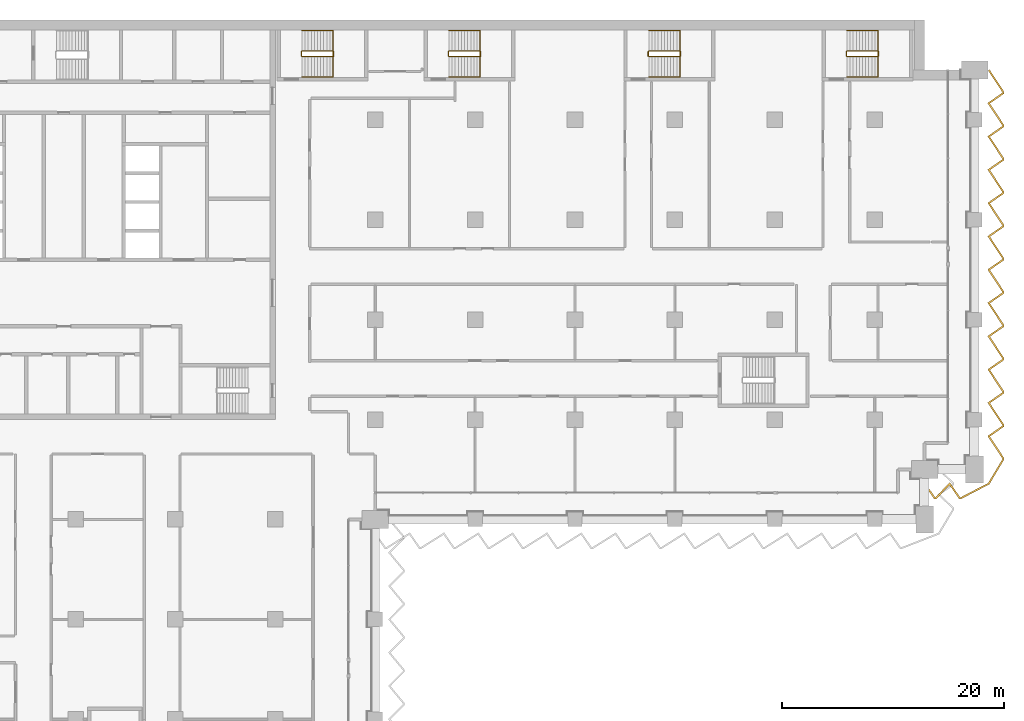
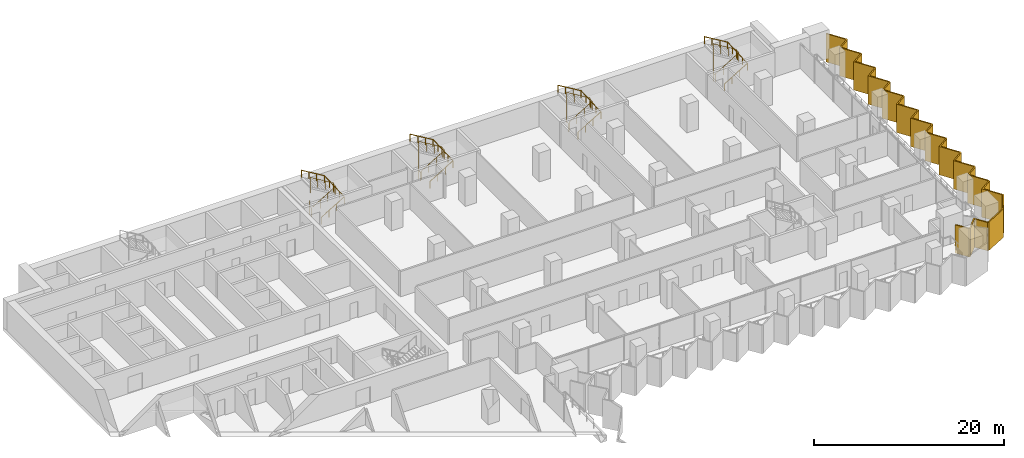
# One storey, part 27 of 28: 8 railings, 1 shading device.
"""IFC4 building model written with IfcOpenShell, lengths in metres."""

import ifcopenshell
import ifcopenshell.guid

model = None  # the IFC model being written
_history = None  # IfcOwnerHistory: only IFC2X3 demands one
_inside = {}  # id of a spatial element -> (the spatial element, [elements in it])
_under = {}  # id of a project, library or spatial element -> (it, [spatial elements below it])
_declared = {}  # id of a project -> (the project, [libraries it declares])
_typed = {}  # id of a type object -> (the type object, [elements of that type])
_made_of = {}  # id of a material, layer set ... -> (it, [elements and type objects made of it])


def new_model(schema):
    """Start an empty IFC model of exactly this schema.

    Asked for "IFC4X3", IfcOpenShell would pick the latest addendum, in which some entities
    have other attributes; the version numbers below select the first issue.
    IFC2X3 requires an IfcOwnerHistory on every rooted entity: one is made here for all.
    """
    global model, _history
    if schema == "IFC4X3":
        model = ifcopenshell.file(schema_version=(4, 3, 0, 0))
    else:
        model = ifcopenshell.file(schema=schema)
    _inside.clear()
    _under.clear()
    _declared.clear()
    _typed.clear()
    _made_of.clear()
    _history = None
    if model.schema == "IFC2X3":
        org = make("IfcOrganization", Name="unknown")
        user = make(
            "IfcPersonAndOrganization",
            ThePerson=make("IfcPerson", FamilyName="unknown"),
            TheOrganization=org,
        )
        app = make(
            "IfcApplication",
            ApplicationDeveloper=org,
            Version="unknown",
            ApplicationFullName="unknown",
            ApplicationIdentifier="unknown",
        )
        _history = make(
            "IfcOwnerHistory",
            OwningUser=user,
            OwningApplication=app,
            ChangeAction="ADDED",
            CreationDate=0,
        )
    return model


def make(cls, **values):
    """One entity of the class cls with the attributes given. An attribute that is None is left unset."""
    return model.create_entity(
        cls, **{name: value for name, value in values.items() if value is not None}
    )


def rooted(cls, **values):
    """An entity with a GlobalId (a new one), such as an element, a storey or a relation."""
    return make(cls, GlobalId=ifcopenshell.guid.new(), OwnerHistory=_history, **values)


def si_unit(unit_type, name, prefix=None):
    """IfcSIUnit, for example si_unit("LENGTHUNIT", "METRE", prefix="MILLI")."""
    return make("IfcSIUnit", UnitType=unit_type, Prefix=prefix, Name=name)


def assignment(units):
    """IfcUnitAssignment: the units of a project."""
    return None if units is None else make("IfcUnitAssignment", Units=units)


def point(xyz):
    """IfcCartesianPoint."""
    return None if xyz is None else make("IfcCartesianPoint", Coordinates=xyz)


def direction(xyz):
    """IfcDirection."""
    return None if xyz is None else make("IfcDirection", DirectionRatios=xyz)


def frame(location, z_axis=None, x_axis=None):
    """IfcAxis2Placement3D, a coordinate frame: its origin and axes. An axis left out is left unset."""
    return make(
        "IfcAxis2Placement3D",
        Location=point(location),
        Axis=direction(z_axis),
        RefDirection=direction(x_axis),
    )


def frame_2d(location, x_axis=None):
    """IfcAxis2Placement2D, a coordinate frame in the plane: its origin and x axis."""
    return make(
        "IfcAxis2Placement2D", Location=point(location), RefDirection=direction(x_axis)
    )


def origin():
    """The frame at (0, 0, 0) with its axes left unset."""
    return frame((0.0, 0.0, 0.0))


def origin_2d():
    """The frame at (0, 0) in the plane with its x axis left unset."""
    return frame_2d((0.0, 0.0))


def place(relative_to, where):
    """IfcLocalPlacement: puts the frame where relative to a parent placement (None: the world)."""
    return make(
        "IfcLocalPlacement", PlacementRelTo=relative_to, RelativePlacement=where
    )


def context(
    kind, dimensions, precision=None, world=None, true_north=None, identifier=None
):
    """IfcGeometricRepresentationContext, for example the 3D "Model" context."""
    return make(
        "IfcGeometricRepresentationContext",
        ContextIdentifier=identifier,
        ContextType=kind,
        CoordinateSpaceDimension=dimensions,
        Precision=precision,
        WorldCoordinateSystem=world,
        TrueNorth=true_north,
    )


def subcontext(parent, identifier, kind, view, scale=None):
    """IfcGeometricRepresentationSubContext, for example "Body" below "Model"."""
    return make(
        "IfcGeometricRepresentationSubContext",
        ContextIdentifier=identifier,
        ContextType=kind,
        ParentContext=parent,
        TargetScale=scale,
        TargetView=view,
    )


def project(units=None, contexts=None):
    """IfcProject with its units and contexts."""
    return rooted(
        "IfcProject",
        Name="project",
        RepresentationContexts=contexts,
        UnitsInContext=assignment(units),
    )


def spatial(cls, under=None, at=None, **own):
    """A site, building, storey or space (cls), placed at a placement, below another one or the project."""
    s = rooted(cls, ObjectPlacement=at, **own)
    if under is not None:
        _under.setdefault(under.id(), (under, []))[1].append(s)
    return s


def polyline(points):
    """IfcPolyline through the points."""
    return make("IfcPolyline", Points=[point(p) for p in points])


def profile(cls, at=None, kind="AREA", **sizes):
    """A parametric profile (cls). Its sizes go by their IFC names, for example OverallWidth=200.0."""
    return make(cls, ProfileType=kind, Position=at, **sizes)


def circle(**sizes):
    """IfcCircleProfileDef."""
    return profile("IfcCircleProfileDef", **sizes)


def outline(outer, holes=None, kind="AREA"):
    """IfcArbitraryClosedProfileDef: a profile drawn as a closed curve; with holes, ...WithVoids."""
    if holes is None:
        return make("IfcArbitraryClosedProfileDef", ProfileType=kind, OuterCurve=outer)
    return make(
        "IfcArbitraryProfileDefWithVoids",
        ProfileType=kind,
        OuterCurve=outer,
        InnerCurves=holes,
    )


def extrude(swept, where, along, depth):
    """IfcExtrudedAreaSolid: the profile swept, set in the frame where, extruded along a direction by depth."""
    return make(
        "IfcExtrudedAreaSolid",
        SweptArea=swept,
        Position=where,
        ExtrudedDirection=direction(along),
        Depth=depth,
    )


def shape(context_of_items, identifier, shape_type, items):
    """IfcShapeRepresentation: the items that make up one representation, for example the "Body"."""
    return make(
        "IfcShapeRepresentation",
        ContextOfItems=context_of_items,
        RepresentationIdentifier=identifier,
        RepresentationType=shape_type,
        Items=items,
    )


def material(Name=None, Category=None):
    """IfcMaterial."""
    return make("IfcMaterial", Name=Name, Category=Category)


def layer(
    of_material, thickness, ventilated=None, Name=None, Category=None, Priority=None
):
    """IfcMaterialLayer: one layer of a wall or slab, of a material (None: an air gap)."""
    return make(
        "IfcMaterialLayer",
        Material=of_material,
        LayerThickness=thickness,
        IsVentilated=ventilated,
        Name=Name,
        Category=Category,
        Priority=Priority,
    )


def layer_set(layers, Name=None):
    """IfcMaterialLayerSet."""
    return make("IfcMaterialLayerSet", MaterialLayers=layers, LayerSetName=Name)


def made_of(thing, what):
    """Note that an element or type object is made of a material, layer set ...; save() writes the relation."""
    if what is not None:
        _made_of.setdefault(what.id(), (what, []))[1].append(thing)
    return thing


def type_object(cls, material=None, **own):
    """A type object (cls), such as IfcWallType, which elements share."""
    return made_of(rooted(cls, **own), material)


def element(
    cls,
    number,
    at=None,
    inside=None,
    cuts=None,
    type_object=None,
    material=None,
    context=None,
    identifier="Body",
    shape_type=None,
    held_by="IfcProductDefinitionShape",
    body=None,
    shapes=None,
    **own,
):
    """One element of the class cls, such as IfcWall. Its Tag is "e" and its number.

    at: its placement. inside: the storey or other place that contains it. cuts: it is an
    opening in that element (IfcRelVoidsElement). A single representation is given by context,
    identifier, shape_type and body (its items); several are given by shapes. held_by: the class
    of the entity that holds the representations. save() writes the other relations.
    """
    e = rooted(cls, Tag="e%d" % number, ObjectPlacement=at, **own)
    if body is not None:
        shapes = [shape(context, identifier, shape_type, body)]
    if shapes is not None:
        e.Representation = make(held_by, Representations=shapes)
    if inside is not None:
        _inside.setdefault(inside.id(), (inside, []))[1].append(e)
    if cuts is not None:
        rooted(
            "IfcRelVoidsElement", RelatingBuildingElement=cuts, RelatedOpeningElement=e
        )
    if type_object is not None:
        _typed.setdefault(type_object.id(), (type_object, []))[1].append(e)
    return made_of(e, material)


def aggregate(whole, parts):
    """IfcRelAggregates: a whole, such as a stair, and the parts it consists of."""
    return rooted("IfcRelAggregates", RelatingObject=whole, RelatedObjects=parts)


def save(model, path):
    """Write the relations noted so far, then the file.

    IfcRelAggregates (storeys below a building ...), IfcRelContainedInSpatialStructure (elements
    in a storey), IfcRelDefinesByType, IfcRelAssociatesMaterial and IfcRelDeclares: one each for
    every whole, place, type object, material and project.
    """
    for whole, parts in _under.values():
        aggregate(whole, parts)
    for where, things in _inside.values():
        rooted(
            "IfcRelContainedInSpatialStructure",
            RelatedElements=things,
            RelatingStructure=where,
        )
    for kind, things in _typed.values():
        rooted("IfcRelDefinesByType", RelatedObjects=things, RelatingType=kind)
    for what, things in _made_of.values():
        rooted("IfcRelAssociatesMaterial", RelatedObjects=things, RelatingMaterial=what)
    for by, libraries in _declared.values():
        rooted("IfcRelDeclares", RelatingContext=by, RelatedDefinitions=libraries)
    model.write(path)


model = new_model("IFC4")

# Units and contexts
model_context = context("Model", 3, precision=1e-05, world=origin(), true_north=direction((0.0, 1.0)))
body_context = subcontext(model_context, "Body", "Model", "MODEL_VIEW")
ifc_project = project(units=[si_unit("LENGTHUNIT", "METRE"), si_unit("AREAUNIT", "SQUARE_METRE"), si_unit("VOLUMEUNIT", "CUBIC_METRE"), si_unit("PLANEANGLEUNIT", "RADIAN"), si_unit("MASSUNIT", "GRAM", prefix="KILO")], contexts=[model_context])

# Site, building, storey
site_placement = place(None, origin())
site = spatial("IfcSite", under=ifc_project, at=site_placement, CompositionType="ELEMENT")
building_placement = place(site_placement, origin())
building = spatial("IfcBuilding", under=site, at=building_placement, Name="Hunhe Ridgeline Campus", CompositionType="ELEMENT")
storey_placement = place(building_placement, frame((0.0, 0.0, 76.5)))
storey = spatial("IfcBuildingStorey", under=building, at=storey_placement, Name="L18", CompositionType="ELEMENT", Elevation=76.5)

# Shading device
ifc_material_1 = material(Name="Concrete C50", Category="concrete")
ifc_layer = layer(ifc_material_1, 0.14990234375)
ifc_layer_set = layer_set([ifc_layer], Name="Sawtooth concrete fin 150 Concrete C50")
shading_device_type = type_object("IfcShadingDeviceType", Name="Sawtooth concrete fin 150 Concrete C50", PredefinedType="USERDEFINED", material=ifc_layer_set)
shading_device_placement = place(storey_placement, frame((0.0, 0.0, -0.949951171875)))
element("IfcShadingDevice", 1, at=shading_device_placement, inside=storey, type_object=shading_device_type, Name="Concrete fin screen 3", ObjectType="FIN", PredefinedType="USERDEFINED", context=body_context, shape_type="SweptSolid", body=[
    extrude(outline(polyline([(94.5615234375, 57.267822265625), (94.4384765625, 57.18212890625), (95.363525390625, 55.85009765625), (95.554931640625, 55.85009765625), (96.7412109375, 57.106201171875), (97.613525390625, 55.85009765625), (97.791015625, 55.85009765625), (100.328369140625, 57.168212890625), (101.64990234375, 59.382080078125), (101.64990234375, 59.545166015625), (100.3779296875, 61.47998046875), (101.64990234375, 62.363525390625), (101.64990234375, 62.545166015625), (100.3779296875, 64.47998046875), (101.64990234375, 65.363525390625), (101.64990234375, 65.545166015625), (100.3779296875, 67.47998046875), (101.64990234375, 68.363525390625), (101.64990234375, 68.545166015625), (100.3779296875, 70.47998046875), (101.64990234375, 71.363525390625), (101.64990234375, 71.545166015625), (100.3779296875, 73.47998046875), (101.64990234375, 74.363525390625), (101.64990234375, 74.545166015625), (100.3779296875, 76.47998046875), (101.64990234375, 77.363525390625), (101.64990234375, 77.545166015625), (100.3779296875, 79.47998046875), (101.64990234375, 80.363525390625), (101.64990234375, 80.545166015625), (100.3779296875, 82.47998046875), (101.64990234375, 83.363525390625), (101.64990234375, 83.545166015625), (100.3779296875, 85.47998046875), (101.64990234375, 86.363525390625), (101.64990234375, 86.545166015625), (100.3779296875, 88.47998046875), (101.64990234375, 89.363525390625), (101.64990234375, 89.545166015625), (100.3779296875, 91.47998046875), (101.64990234375, 92.363525390625), (101.64990234375, 92.545166015625), (100.337646484375, 94.541259765625), (100.21240234375, 94.458740234375), (101.5, 92.500244140625), (101.5, 92.44189453125), (100.172119140625, 91.52001953125), (101.5, 89.500244140625), (101.5, 89.44189453125), (100.172119140625, 88.52001953125), (101.5, 86.500244140625), (101.5, 86.44189453125), (100.172119140625, 85.52001953125), (101.5, 83.500244140625), (101.5, 83.44189453125), (100.172119140625, 82.52001953125), (101.5, 80.500244140625), (101.5, 80.44189453125), (100.172119140625, 79.52001953125), (101.5, 77.500244140625), (101.5, 77.44189453125), (100.172119140625, 76.52001953125), (101.5, 74.500244140625), (101.5, 74.44189453125), (100.172119140625, 73.52001953125), (101.5, 71.500244140625), (101.5, 71.44189453125), (100.172119140625, 70.52001953125), (101.5, 68.500244140625), (101.5, 68.44189453125), (100.172119140625, 67.52001953125), (101.5, 65.500244140625), (101.5, 65.44189453125), (100.172119140625, 64.52001953125), (101.5, 62.500244140625), (101.5, 62.44189453125), (100.172119140625, 61.52001953125), (101.5, 59.500244140625), (101.5, 59.42333984375), (100.221435546875, 57.28173828125), (97.75439453125, 56.0), (97.69189453125, 56.0), (96.7587890625, 57.34375), (95.490234375, 56.0), (95.44189453125, 56.0), (94.5615234375, 57.267822265625)])), origin(), (0.0, 0.0, 1.0), 3.64990234375),
])

# Railings
ifc_material_2 = material(Name="Stainless steel balustrade", Category="steel")
railing_type_1 = type_object("IfcRailingType", Name="Stair guard 1100 stainless", PredefinedType="GUARDRAIL", material=ifc_material_2)
railing_1_placement = place(storey_placement, frame((38.39990234375, 95.699951171875, 0.168212890625)))
element("IfcRailing", 2, at=railing_1_placement, inside=storey, type_object=railing_type_1, Name="L18 stair E1 guard", PredefinedType="GUARDRAIL", context=body_context, shape_type="SweptSolid", body=[
    extrude(circle(Radius=0.02392578125, at=origin_2d()), frame((0.0, 0.0, 1.076171875), z_axis=(0.857242210791, 0.0, 0.514913383045), x_axis=(0.0, 1.0, 0.0)), (0.0, 0.0, 1.0), 3.266357421875),
    extrude(circle(Radius=0.02392578125, at=origin_2d()), frame((2.800048828125, 0.0, 2.7578125), z_axis=(0.707106781187, 0.707106781187, 0.0), x_axis=(-0.707106781187, 0.707106781187, 0.0)), (0.0, 0.0, 1.0), 0.07080078125),
    extrude(circle(Radius=0.02392578125, at=origin_2d()), frame((2.85009765625, 0.050048828125, 2.7578125), z_axis=(0.0, 1.0, 0.0), x_axis=(-1.0, 0.0, 0.0)), (0.0, 0.0, 1.0), 0.39990234375),
    extrude(circle(Radius=0.02392578125, at=origin_2d()), frame((2.85009765625, 0.449951171875, 2.7578125), z_axis=(-0.274582412415, 0.274582412415, 0.921525364591), x_axis=(-0.707106781187, -0.707106781187, 0.0)), (0.0, 0.0, 1.0), 0.182373046875),
    extrude(circle(Radius=0.02392578125, at=origin_2d()), frame((2.800048828125, 0.5, 2.92578125), z_axis=(-0.857242210791, 0.0, 0.514913383045), x_axis=(0.0, -1.0, 0.0)), (0.0, 0.0, 1.0), 3.266357421875),
    extrude(circle(Radius=0.02392578125, at=origin_2d()), frame((0.0, 0.5, 4.60791015625), z_axis=(-0.013458453615, -0.013524426427, -0.999817963389), x_axis=(0.708833529934, -0.705375805398, 0.0)), (0.0, 0.0, 1.0), 3.70068359375),
    extrude(circle(Radius=0.02392578125, at=origin_2d()), frame((-0.0498046875, 0.449951171875, 0.90771484375), z_axis=(0.0, -1.0, 0.0), x_axis=(1.0, 0.0, 0.0)), (0.0, 0.0, 1.0), 0.39990234375),
    extrude(circle(Radius=0.02099609375, at=origin_2d()), origin(), (0.0, 0.0, 1.0), 1.052001953125),
    extrude(circle(Radius=0.02099609375, at=origin_2d()), frame((0.933349609375, 0.0, 0.560546875)), (0.0, 0.0, 1.0), 1.052001953125),
    extrude(circle(Radius=0.02099609375, at=origin_2d()), frame((1.86669921875, 0.0, 1.121337890625)), (0.0, 0.0, 1.0), 1.052001953125),
    extrude(circle(Radius=0.02099609375, at=origin_2d()), frame((2.800048828125, 0.0, 1.681884765625)), (0.0, 0.0, 1.0), 1.052001953125),
    extrude(circle(Radius=0.02099609375, at=origin_2d()), frame((2.85009765625, 0.050048828125, 1.681884765625)), (0.0, 0.0, 1.0), 1.052001953125),
    extrude(circle(Radius=0.02099609375, at=origin_2d()), frame((2.85009765625, 0.449951171875, 1.681884765625)), (0.0, 0.0, 1.0), 1.052001953125),
    extrude(circle(Radius=0.02099609375, at=origin_2d()), frame((2.800048828125, 0.5, 1.849853515625)), (0.0, 0.0, 1.0), 1.052001953125),
    extrude(circle(Radius=0.02099609375, at=origin_2d()), frame((1.86669921875, 0.5, 2.410400390625)), (0.0, 0.0, 1.0), 1.052001953125),
    extrude(circle(Radius=0.02099609375, at=origin_2d()), frame((0.933349609375, 0.5, 2.97119140625)), (0.0, 0.0, 1.0), 1.052001953125),
    extrude(circle(Radius=0.02099609375, at=origin_2d()), frame((0.0, 0.5, 3.53173828125)), (0.0, 0.0, 1.0), 1.052001953125),
    extrude(circle(Radius=0.02099609375, at=origin_2d()), frame((-0.012451171875, 0.487548828125, 2.606689453125)), (0.0, 0.0, 1.0), 1.052001953125),
    extrude(circle(Radius=0.02099609375, at=origin_2d()), frame((-0.02490234375, 0.47509765625, 1.681640625)), (0.0, 0.0, 1.0), 1.052001953125),
    extrude(circle(Radius=0.02099609375, at=origin_2d()), frame((-0.037353515625, 0.46240234375, 0.7568359375)), (0.0, 0.0, 1.0), 1.052001953125),
    extrude(circle(Radius=0.02099609375, at=origin_2d()), frame((-0.0498046875, 0.449951171875, -0.168212890625)), (0.0, 0.0, 1.0), 1.052001953125),
    extrude(circle(Radius=0.02099609375, at=origin_2d()), frame((-0.0498046875, 0.050048828125, -0.168212890625)), (0.0, 0.0, 1.0), 1.052001953125),
])
railing_2_placement = place(storey_placement, frame((51.64990234375, 95.699951171875, 0.168212890625)))
element("IfcRailing", 3, at=railing_2_placement, inside=storey, type_object=railing_type_1, Name="L18 stair E2 guard", PredefinedType="GUARDRAIL", context=body_context, shape_type="SweptSolid", body=[
    extrude(circle(Radius=0.02392578125, at=origin_2d()), frame((0.0, 0.0, 1.076171875), z_axis=(0.857242210791, 0.0, 0.514913383045), x_axis=(0.0, 1.0, 0.0)), (0.0, 0.0, 1.0), 3.266357421875),
    extrude(circle(Radius=0.02392578125, at=origin_2d()), frame((2.800048828125, 0.0, 2.7578125), z_axis=(0.707106781187, 0.707106781187, 0.0), x_axis=(-0.707106781187, 0.707106781187, 0.0)), (0.0, 0.0, 1.0), 0.07080078125),
    extrude(circle(Radius=0.02392578125, at=origin_2d()), frame((2.85009765625, 0.050048828125, 2.7578125), z_axis=(0.0, 1.0, 0.0), x_axis=(-1.0, 0.0, 0.0)), (0.0, 0.0, 1.0), 0.39990234375),
    extrude(circle(Radius=0.02392578125, at=origin_2d()), frame((2.85009765625, 0.449951171875, 2.7578125), z_axis=(-0.274582412415, 0.274582412415, 0.921525364591), x_axis=(-0.707106781187, -0.707106781187, 0.0)), (0.0, 0.0, 1.0), 0.182373046875),
    extrude(circle(Radius=0.02392578125, at=origin_2d()), frame((2.800048828125, 0.5, 2.92578125), z_axis=(-0.857242210791, 0.0, 0.514913383045), x_axis=(0.0, -1.0, 0.0)), (0.0, 0.0, 1.0), 3.266357421875),
    extrude(circle(Radius=0.02392578125, at=origin_2d()), frame((0.0, 0.5, 4.60791015625), z_axis=(-0.013458453615, -0.013524426427, -0.999817963389), x_axis=(0.708833529934, -0.705375805398, 0.0)), (0.0, 0.0, 1.0), 3.70068359375),
    extrude(circle(Radius=0.02392578125, at=origin_2d()), frame((-0.0498046875, 0.449951171875, 0.90771484375), z_axis=(0.0, -1.0, 0.0), x_axis=(1.0, 0.0, 0.0)), (0.0, 0.0, 1.0), 0.39990234375),
    extrude(circle(Radius=0.02099609375, at=origin_2d()), origin(), (0.0, 0.0, 1.0), 1.052001953125),
    extrude(circle(Radius=0.02099609375, at=origin_2d()), frame((0.933349609375, 0.0, 0.560546875)), (0.0, 0.0, 1.0), 1.052001953125),
    extrude(circle(Radius=0.02099609375, at=origin_2d()), frame((1.86669921875, 0.0, 1.121337890625)), (0.0, 0.0, 1.0), 1.052001953125),
    extrude(circle(Radius=0.02099609375, at=origin_2d()), frame((2.800048828125, 0.0, 1.681884765625)), (0.0, 0.0, 1.0), 1.052001953125),
    extrude(circle(Radius=0.02099609375, at=origin_2d()), frame((2.85009765625, 0.050048828125, 1.681884765625)), (0.0, 0.0, 1.0), 1.052001953125),
    extrude(circle(Radius=0.02099609375, at=origin_2d()), frame((2.85009765625, 0.449951171875, 1.681884765625)), (0.0, 0.0, 1.0), 1.052001953125),
    extrude(circle(Radius=0.02099609375, at=origin_2d()), frame((2.800048828125, 0.5, 1.849853515625)), (0.0, 0.0, 1.0), 1.052001953125),
    extrude(circle(Radius=0.02099609375, at=origin_2d()), frame((1.86669921875, 0.5, 2.410400390625)), (0.0, 0.0, 1.0), 1.052001953125),
    extrude(circle(Radius=0.02099609375, at=origin_2d()), frame((0.933349609375, 0.5, 2.97119140625)), (0.0, 0.0, 1.0), 1.052001953125),
    extrude(circle(Radius=0.02099609375, at=origin_2d()), frame((0.0, 0.5, 3.53173828125)), (0.0, 0.0, 1.0), 1.052001953125),
    extrude(circle(Radius=0.02099609375, at=origin_2d()), frame((-0.012451171875, 0.487548828125, 2.606689453125)), (0.0, 0.0, 1.0), 1.052001953125),
    extrude(circle(Radius=0.02099609375, at=origin_2d()), frame((-0.02490234375, 0.47509765625, 1.681640625)), (0.0, 0.0, 1.0), 1.052001953125),
    extrude(circle(Radius=0.02099609375, at=origin_2d()), frame((-0.037353515625, 0.46240234375, 0.7568359375)), (0.0, 0.0, 1.0), 1.052001953125),
    extrude(circle(Radius=0.02099609375, at=origin_2d()), frame((-0.0498046875, 0.449951171875, -0.168212890625)), (0.0, 0.0, 1.0), 1.052001953125),
    extrude(circle(Radius=0.02099609375, at=origin_2d()), frame((-0.0498046875, 0.050048828125, -0.168212890625)), (0.0, 0.0, 1.0), 1.052001953125),
])
railing_3_placement = place(storey_placement, frame((69.64990234375, 95.699951171875, 0.168212890625)))
element("IfcRailing", 4, at=railing_3_placement, inside=storey, type_object=railing_type_1, Name="L18 stair E3 guard", PredefinedType="GUARDRAIL", context=body_context, shape_type="SweptSolid", body=[
    extrude(circle(Radius=0.02392578125, at=origin_2d()), frame((0.0, 0.0, 1.076171875), z_axis=(0.857242210791, 0.0, 0.514913383045), x_axis=(0.0, 1.0, 0.0)), (0.0, 0.0, 1.0), 3.266357421875),
    extrude(circle(Radius=0.02392578125, at=origin_2d()), frame((2.800048828125, 0.0, 2.7578125), z_axis=(0.707106781187, 0.707106781187, 0.0), x_axis=(-0.707106781187, 0.707106781187, 0.0)), (0.0, 0.0, 1.0), 0.07080078125),
    extrude(circle(Radius=0.02392578125, at=origin_2d()), frame((2.85009765625, 0.050048828125, 2.7578125), z_axis=(0.0, 1.0, 0.0), x_axis=(-1.0, 0.0, 0.0)), (0.0, 0.0, 1.0), 0.39990234375),
    extrude(circle(Radius=0.02392578125, at=origin_2d()), frame((2.85009765625, 0.449951171875, 2.7578125), z_axis=(-0.274582412415, 0.274582412415, 0.921525364591), x_axis=(-0.707106781187, -0.707106781187, 0.0)), (0.0, 0.0, 1.0), 0.182373046875),
    extrude(circle(Radius=0.02392578125, at=origin_2d()), frame((2.800048828125, 0.5, 2.92578125), z_axis=(-0.857242210791, 0.0, 0.514913383045), x_axis=(0.0, -1.0, 0.0)), (0.0, 0.0, 1.0), 3.266357421875),
    extrude(circle(Radius=0.02392578125, at=origin_2d()), frame((0.0, 0.5, 4.60791015625), z_axis=(-0.013458453615, -0.013524426427, -0.999817963389), x_axis=(0.708833529934, -0.705375805398, 0.0)), (0.0, 0.0, 1.0), 3.70068359375),
    extrude(circle(Radius=0.02392578125, at=origin_2d()), frame((-0.0498046875, 0.449951171875, 0.90771484375), z_axis=(0.0, -1.0, 0.0), x_axis=(1.0, 0.0, 0.0)), (0.0, 0.0, 1.0), 0.39990234375),
    extrude(circle(Radius=0.02099609375, at=origin_2d()), origin(), (0.0, 0.0, 1.0), 1.052001953125),
    extrude(circle(Radius=0.02099609375, at=origin_2d()), frame((0.933349609375, 0.0, 0.560546875)), (0.0, 0.0, 1.0), 1.052001953125),
    extrude(circle(Radius=0.02099609375, at=origin_2d()), frame((1.86669921875, 0.0, 1.121337890625)), (0.0, 0.0, 1.0), 1.052001953125),
    extrude(circle(Radius=0.02099609375, at=origin_2d()), frame((2.800048828125, 0.0, 1.681884765625)), (0.0, 0.0, 1.0), 1.052001953125),
    extrude(circle(Radius=0.02099609375, at=origin_2d()), frame((2.85009765625, 0.050048828125, 1.681884765625)), (0.0, 0.0, 1.0), 1.052001953125),
    extrude(circle(Radius=0.02099609375, at=origin_2d()), frame((2.85009765625, 0.449951171875, 1.681884765625)), (0.0, 0.0, 1.0), 1.052001953125),
    extrude(circle(Radius=0.02099609375, at=origin_2d()), frame((2.800048828125, 0.5, 1.849853515625)), (0.0, 0.0, 1.0), 1.052001953125),
    extrude(circle(Radius=0.02099609375, at=origin_2d()), frame((1.86669921875, 0.5, 2.410400390625)), (0.0, 0.0, 1.0), 1.052001953125),
    extrude(circle(Radius=0.02099609375, at=origin_2d()), frame((0.933349609375, 0.5, 2.97119140625)), (0.0, 0.0, 1.0), 1.052001953125),
    extrude(circle(Radius=0.02099609375, at=origin_2d()), frame((0.0, 0.5, 3.53173828125)), (0.0, 0.0, 1.0), 1.052001953125),
    extrude(circle(Radius=0.02099609375, at=origin_2d()), frame((-0.012451171875, 0.487548828125, 2.606689453125)), (0.0, 0.0, 1.0), 1.052001953125),
    extrude(circle(Radius=0.02099609375, at=origin_2d()), frame((-0.02490234375, 0.47509765625, 1.681640625)), (0.0, 0.0, 1.0), 1.052001953125),
    extrude(circle(Radius=0.02099609375, at=origin_2d()), frame((-0.037353515625, 0.46240234375, 0.7568359375)), (0.0, 0.0, 1.0), 1.052001953125),
    extrude(circle(Radius=0.02099609375, at=origin_2d()), frame((-0.0498046875, 0.449951171875, -0.168212890625)), (0.0, 0.0, 1.0), 1.052001953125),
    extrude(circle(Radius=0.02099609375, at=origin_2d()), frame((-0.0498046875, 0.050048828125, -0.168212890625)), (0.0, 0.0, 1.0), 1.052001953125),
])
railing_4_placement = place(storey_placement, frame((87.5, 95.699951171875, 0.168212890625)))
element("IfcRailing", 5, at=railing_4_placement, inside=storey, type_object=railing_type_1, Name="L18 stair E4 guard", PredefinedType="GUARDRAIL", context=body_context, shape_type="SweptSolid", body=[
    extrude(circle(Radius=0.02392578125, at=origin_2d()), frame((0.0, 0.0, 1.076171875), z_axis=(0.857242210791, 0.0, 0.514913383045), x_axis=(0.0, 1.0, 0.0)), (0.0, 0.0, 1.0), 3.266357421875),
    extrude(circle(Radius=0.02392578125, at=origin_2d()), frame((2.800048828125, 0.0, 2.7578125), z_axis=(0.707106781187, 0.707106781187, 0.0), x_axis=(-0.707106781187, 0.707106781187, 0.0)), (0.0, 0.0, 1.0), 0.07080078125),
    extrude(circle(Radius=0.02392578125, at=origin_2d()), frame((2.85009765625, 0.050048828125, 2.7578125), z_axis=(0.0, 1.0, 0.0), x_axis=(-1.0, 0.0, 0.0)), (0.0, 0.0, 1.0), 0.39990234375),
    extrude(circle(Radius=0.02392578125, at=origin_2d()), frame((2.85009765625, 0.449951171875, 2.7578125), z_axis=(-0.274582412415, 0.274582412415, 0.921525364591), x_axis=(-0.707106781187, -0.707106781187, 0.0)), (0.0, 0.0, 1.0), 0.182373046875),
    extrude(circle(Radius=0.02392578125, at=origin_2d()), frame((2.800048828125, 0.5, 2.92578125), z_axis=(-0.857242210791, 0.0, 0.514913383045), x_axis=(0.0, -1.0, 0.0)), (0.0, 0.0, 1.0), 3.266357421875),
    extrude(circle(Radius=0.02392578125, at=origin_2d()), frame((0.0, 0.5, 4.60791015625), z_axis=(-0.013524414389, -0.013524414389, -0.999817073484), x_axis=(0.707106781187, -0.707106781187, 0.0)), (0.0, 0.0, 1.0), 3.70068359375),
    extrude(circle(Radius=0.02392578125, at=origin_2d()), frame((-0.050048828125, 0.449951171875, 0.90771484375), z_axis=(0.0, -1.0, 0.0), x_axis=(1.0, 0.0, 0.0)), (0.0, 0.0, 1.0), 0.39990234375),
    extrude(circle(Radius=0.02099609375, at=origin_2d()), origin(), (0.0, 0.0, 1.0), 1.052001953125),
    extrude(circle(Radius=0.02099609375, at=origin_2d()), frame((0.933349609375, 0.0, 0.560546875)), (0.0, 0.0, 1.0), 1.052001953125),
    extrude(circle(Radius=0.02099609375, at=origin_2d()), frame((1.86669921875, 0.0, 1.121337890625)), (0.0, 0.0, 1.0), 1.052001953125),
    extrude(circle(Radius=0.02099609375, at=origin_2d()), frame((2.800048828125, 0.0, 1.681884765625)), (0.0, 0.0, 1.0), 1.052001953125),
    extrude(circle(Radius=0.02099609375, at=origin_2d()), frame((2.85009765625, 0.050048828125, 1.681884765625)), (0.0, 0.0, 1.0), 1.052001953125),
    extrude(circle(Radius=0.02099609375, at=origin_2d()), frame((2.85009765625, 0.449951171875, 1.681884765625)), (0.0, 0.0, 1.0), 1.052001953125),
    extrude(circle(Radius=0.02099609375, at=origin_2d()), frame((2.800048828125, 0.5, 1.849853515625)), (0.0, 0.0, 1.0), 1.052001953125),
    extrude(circle(Radius=0.02099609375, at=origin_2d()), frame((1.86669921875, 0.5, 2.410400390625)), (0.0, 0.0, 1.0), 1.052001953125),
    extrude(circle(Radius=0.02099609375, at=origin_2d()), frame((0.933349609375, 0.5, 2.97119140625)), (0.0, 0.0, 1.0), 1.052001953125),
    extrude(circle(Radius=0.02099609375, at=origin_2d()), frame((0.0, 0.5, 3.53173828125)), (0.0, 0.0, 1.0), 1.052001953125),
    extrude(circle(Radius=0.02099609375, at=origin_2d()), frame((-0.012451171875, 0.487548828125, 2.606689453125)), (0.0, 0.0, 1.0), 1.052001953125),
    extrude(circle(Radius=0.02099609375, at=origin_2d()), frame((-0.02490234375, 0.47509765625, 1.681640625)), (0.0, 0.0, 1.0), 1.052001953125),
    extrude(circle(Radius=0.02099609375, at=origin_2d()), frame((-0.03759765625, 0.46240234375, 0.7568359375)), (0.0, 0.0, 1.0), 1.052001953125),
    extrude(circle(Radius=0.02099609375, at=origin_2d()), frame((-0.050048828125, 0.449951171875, -0.168212890625)), (0.0, 0.0, 1.0), 1.052001953125),
    extrude(circle(Radius=0.02099609375, at=origin_2d()), frame((-0.050048828125, 0.050048828125, -0.168212890625)), (0.0, 0.0, 1.0), 1.052001953125),
])
ifc_material_3 = material(Name="Stainless steel handrail", Category="steel")
railing_type_2 = type_object("IfcRailingType", Name="Stair handrail 900 stainless", PredefinedType="HANDRAIL", material=ifc_material_3)
railing_5_placement = place(storey_placement, frame((38.39990234375, 93.85009765625, 0.168212890625)))
element("IfcRailing", 6, at=railing_5_placement, inside=storey, type_object=railing_type_2, Name="L18 stair E1 handrail", PredefinedType="HANDRAIL", context=body_context, shape_type="SweptSolid", body=[
    extrude(circle(Radius=0.02392578125, at=origin_2d()), frame((0.0, 0.0, 0.8759765625), z_axis=(0.857242210791, 0.0, 0.514913383045), x_axis=(0.0, 1.0, 0.0)), (0.0, 0.0, 1.0), 3.266357421875),
    extrude(circle(Radius=0.02392578125, at=origin_2d()), frame((2.800048828125, 0.0, 2.5576171875), z_axis=(0.0, 0.99920123705, 0.039961079526), x_axis=(-1.0, 0.0, 0.0)), (0.0, 0.0, 1.0), 4.203369140625),
    extrude(circle(Radius=0.02392578125, at=origin_2d()), frame((2.800048828125, 4.199951171875, 2.7255859375), z_axis=(-0.857242210791, 0.0, 0.514913383045), x_axis=(0.0, -1.0, 0.0)), (0.0, 0.0, 1.0), 3.266357421875),
    extrude(circle(Radius=0.02099609375, at=origin_2d()), origin(), (0.0, 0.0, 1.0), 0.851806640625),
    extrude(circle(Radius=0.02099609375, at=origin_2d()), frame((0.933349609375, 0.0, 0.560546875)), (0.0, 0.0, 1.0), 0.851806640625),
    extrude(circle(Radius=0.02099609375, at=origin_2d()), frame((1.86669921875, 0.0, 1.121337890625)), (0.0, 0.0, 1.0), 0.851806640625),
    extrude(circle(Radius=0.02099609375, at=origin_2d()), frame((2.800048828125, 0.0, 1.681884765625)), (0.0, 0.0, 1.0), 0.851806640625),
    extrude(circle(Radius=0.02099609375, at=origin_2d()), frame((2.800048828125, 1.050048828125, 1.723876953125)), (0.0, 0.0, 1.0), 0.851806640625),
    extrude(circle(Radius=0.02099609375, at=origin_2d()), frame((2.800048828125, 2.10009765625, 1.765869140625)), (0.0, 0.0, 1.0), 0.851806640625),
    extrude(circle(Radius=0.02099609375, at=origin_2d()), frame((2.800048828125, 3.14990234375, 1.807861328125)), (0.0, 0.0, 1.0), 0.851806640625),
    extrude(circle(Radius=0.02099609375, at=origin_2d()), frame((2.800048828125, 4.199951171875, 1.849853515625)), (0.0, 0.0, 1.0), 0.851806640625),
    extrude(circle(Radius=0.02099609375, at=origin_2d()), frame((1.86669921875, 4.199951171875, 2.410400390625)), (0.0, 0.0, 1.0), 0.851806640625),
    extrude(circle(Radius=0.02099609375, at=origin_2d()), frame((0.933349609375, 4.199951171875, 2.97119140625)), (0.0, 0.0, 1.0), 0.851806640625),
    extrude(circle(Radius=0.02099609375, at=origin_2d()), frame((0.0, 4.199951171875, 3.53173828125)), (0.0, 0.0, 1.0), 0.851806640625),
])
railing_6_placement = place(storey_placement, frame((51.64990234375, 93.85009765625, 0.168212890625)))
element("IfcRailing", 7, at=railing_6_placement, inside=storey, type_object=railing_type_2, Name="L18 stair E2 handrail", PredefinedType="HANDRAIL", context=body_context, shape_type="SweptSolid", body=[
    extrude(circle(Radius=0.02392578125, at=origin_2d()), frame((0.0, 0.0, 0.8759765625), z_axis=(0.857242210791, 0.0, 0.514913383045), x_axis=(0.0, 1.0, 0.0)), (0.0, 0.0, 1.0), 3.266357421875),
    extrude(circle(Radius=0.02392578125, at=origin_2d()), frame((2.800048828125, 0.0, 2.5576171875), z_axis=(0.0, 0.99920123705, 0.039961079526), x_axis=(-1.0, 0.0, 0.0)), (0.0, 0.0, 1.0), 4.203369140625),
    extrude(circle(Radius=0.02392578125, at=origin_2d()), frame((2.800048828125, 4.199951171875, 2.7255859375), z_axis=(-0.857242210791, 0.0, 0.514913383045), x_axis=(0.0, -1.0, 0.0)), (0.0, 0.0, 1.0), 3.266357421875),
    extrude(circle(Radius=0.02099609375, at=origin_2d()), origin(), (0.0, 0.0, 1.0), 0.851806640625),
    extrude(circle(Radius=0.02099609375, at=origin_2d()), frame((0.933349609375, 0.0, 0.560546875)), (0.0, 0.0, 1.0), 0.851806640625),
    extrude(circle(Radius=0.02099609375, at=origin_2d()), frame((1.86669921875, 0.0, 1.121337890625)), (0.0, 0.0, 1.0), 0.851806640625),
    extrude(circle(Radius=0.02099609375, at=origin_2d()), frame((2.800048828125, 0.0, 1.681884765625)), (0.0, 0.0, 1.0), 0.851806640625),
    extrude(circle(Radius=0.02099609375, at=origin_2d()), frame((2.800048828125, 1.050048828125, 1.723876953125)), (0.0, 0.0, 1.0), 0.851806640625),
    extrude(circle(Radius=0.02099609375, at=origin_2d()), frame((2.800048828125, 2.10009765625, 1.765869140625)), (0.0, 0.0, 1.0), 0.851806640625),
    extrude(circle(Radius=0.02099609375, at=origin_2d()), frame((2.800048828125, 3.14990234375, 1.807861328125)), (0.0, 0.0, 1.0), 0.851806640625),
    extrude(circle(Radius=0.02099609375, at=origin_2d()), frame((2.800048828125, 4.199951171875, 1.849853515625)), (0.0, 0.0, 1.0), 0.851806640625),
    extrude(circle(Radius=0.02099609375, at=origin_2d()), frame((1.86669921875, 4.199951171875, 2.410400390625)), (0.0, 0.0, 1.0), 0.851806640625),
    extrude(circle(Radius=0.02099609375, at=origin_2d()), frame((0.933349609375, 4.199951171875, 2.97119140625)), (0.0, 0.0, 1.0), 0.851806640625),
    extrude(circle(Radius=0.02099609375, at=origin_2d()), frame((0.0, 4.199951171875, 3.53173828125)), (0.0, 0.0, 1.0), 0.851806640625),
])
railing_7_placement = place(storey_placement, frame((69.64990234375, 93.85009765625, 0.168212890625)))
element("IfcRailing", 8, at=railing_7_placement, inside=storey, type_object=railing_type_2, Name="L18 stair E3 handrail", PredefinedType="HANDRAIL", context=body_context, shape_type="SweptSolid", body=[
    extrude(circle(Radius=0.02392578125, at=origin_2d()), frame((0.0, 0.0, 0.8759765625), z_axis=(0.857242210791, 0.0, 0.514913383045), x_axis=(0.0, 1.0, 0.0)), (0.0, 0.0, 1.0), 3.266357421875),
    extrude(circle(Radius=0.02392578125, at=origin_2d()), frame((2.800048828125, 0.0, 2.5576171875), z_axis=(0.0, 0.99920123705, 0.039961079526), x_axis=(-1.0, 0.0, 0.0)), (0.0, 0.0, 1.0), 4.203369140625),
    extrude(circle(Radius=0.02392578125, at=origin_2d()), frame((2.800048828125, 4.199951171875, 2.7255859375), z_axis=(-0.857242210791, 0.0, 0.514913383045), x_axis=(0.0, -1.0, 0.0)), (0.0, 0.0, 1.0), 3.266357421875),
    extrude(circle(Radius=0.02099609375, at=origin_2d()), origin(), (0.0, 0.0, 1.0), 0.851806640625),
    extrude(circle(Radius=0.02099609375, at=origin_2d()), frame((0.933349609375, 0.0, 0.560546875)), (0.0, 0.0, 1.0), 0.851806640625),
    extrude(circle(Radius=0.02099609375, at=origin_2d()), frame((1.86669921875, 0.0, 1.121337890625)), (0.0, 0.0, 1.0), 0.851806640625),
    extrude(circle(Radius=0.02099609375, at=origin_2d()), frame((2.800048828125, 0.0, 1.681884765625)), (0.0, 0.0, 1.0), 0.851806640625),
    extrude(circle(Radius=0.02099609375, at=origin_2d()), frame((2.800048828125, 1.050048828125, 1.723876953125)), (0.0, 0.0, 1.0), 0.851806640625),
    extrude(circle(Radius=0.02099609375, at=origin_2d()), frame((2.800048828125, 2.10009765625, 1.765869140625)), (0.0, 0.0, 1.0), 0.851806640625),
    extrude(circle(Radius=0.02099609375, at=origin_2d()), frame((2.800048828125, 3.14990234375, 1.807861328125)), (0.0, 0.0, 1.0), 0.851806640625),
    extrude(circle(Radius=0.02099609375, at=origin_2d()), frame((2.800048828125, 4.199951171875, 1.849853515625)), (0.0, 0.0, 1.0), 0.851806640625),
    extrude(circle(Radius=0.02099609375, at=origin_2d()), frame((1.86669921875, 4.199951171875, 2.410400390625)), (0.0, 0.0, 1.0), 0.851806640625),
    extrude(circle(Radius=0.02099609375, at=origin_2d()), frame((0.933349609375, 4.199951171875, 2.97119140625)), (0.0, 0.0, 1.0), 0.851806640625),
    extrude(circle(Radius=0.02099609375, at=origin_2d()), frame((0.0, 4.199951171875, 3.53173828125)), (0.0, 0.0, 1.0), 0.851806640625),
])
railing_8_placement = place(storey_placement, frame((87.5, 93.85009765625, 0.168212890625)))
element("IfcRailing", 9, at=railing_8_placement, inside=storey, type_object=railing_type_2, Name="L18 stair E4 handrail", PredefinedType="HANDRAIL", context=body_context, shape_type="SweptSolid", body=[
    extrude(circle(Radius=0.02392578125, at=origin_2d()), frame((0.0, 0.0, 0.8759765625), z_axis=(0.857242210791, 0.0, 0.514913383045), x_axis=(0.0, 1.0, 0.0)), (0.0, 0.0, 1.0), 3.266357421875),
    extrude(circle(Radius=0.02392578125, at=origin_2d()), frame((2.800048828125, 0.0, 2.5576171875), z_axis=(0.0, 0.99920123705, 0.039961079526), x_axis=(-1.0, 0.0, 0.0)), (0.0, 0.0, 1.0), 4.203369140625),
    extrude(circle(Radius=0.02392578125, at=origin_2d()), frame((2.800048828125, 4.199951171875, 2.7255859375), z_axis=(-0.857242210791, 0.0, 0.514913383045), x_axis=(0.0, -1.0, 0.0)), (0.0, 0.0, 1.0), 3.266357421875),
    extrude(circle(Radius=0.02099609375, at=origin_2d()), origin(), (0.0, 0.0, 1.0), 0.851806640625),
    extrude(circle(Radius=0.02099609375, at=origin_2d()), frame((0.933349609375, 0.0, 0.560546875)), (0.0, 0.0, 1.0), 0.851806640625),
    extrude(circle(Radius=0.02099609375, at=origin_2d()), frame((1.86669921875, 0.0, 1.121337890625)), (0.0, 0.0, 1.0), 0.851806640625),
    extrude(circle(Radius=0.02099609375, at=origin_2d()), frame((2.800048828125, 0.0, 1.681884765625)), (0.0, 0.0, 1.0), 0.851806640625),
    extrude(circle(Radius=0.02099609375, at=origin_2d()), frame((2.800048828125, 1.050048828125, 1.723876953125)), (0.0, 0.0, 1.0), 0.851806640625),
    extrude(circle(Radius=0.02099609375, at=origin_2d()), frame((2.800048828125, 2.10009765625, 1.765869140625)), (0.0, 0.0, 1.0), 0.851806640625),
    extrude(circle(Radius=0.02099609375, at=origin_2d()), frame((2.800048828125, 3.14990234375, 1.807861328125)), (0.0, 0.0, 1.0), 0.851806640625),
    extrude(circle(Radius=0.02099609375, at=origin_2d()), frame((2.800048828125, 4.199951171875, 1.849853515625)), (0.0, 0.0, 1.0), 0.851806640625),
    extrude(circle(Radius=0.02099609375, at=origin_2d()), frame((1.86669921875, 4.199951171875, 2.410400390625)), (0.0, 0.0, 1.0), 0.851806640625),
    extrude(circle(Radius=0.02099609375, at=origin_2d()), frame((0.933349609375, 4.199951171875, 2.97119140625)), (0.0, 0.0, 1.0), 0.851806640625),
    extrude(circle(Radius=0.02099609375, at=origin_2d()), frame((0.0, 4.199951171875, 3.53173828125)), (0.0, 0.0, 1.0), 0.851806640625),
])

save(model, "model.ifc")
